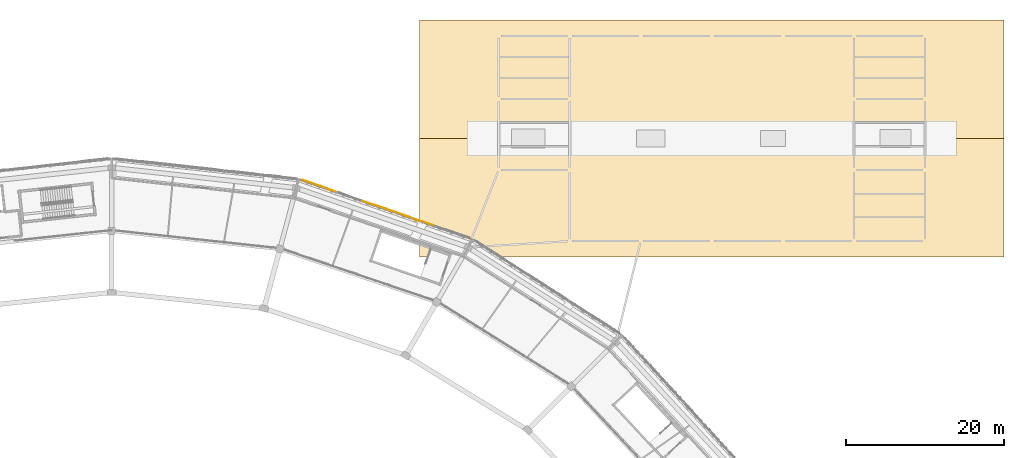
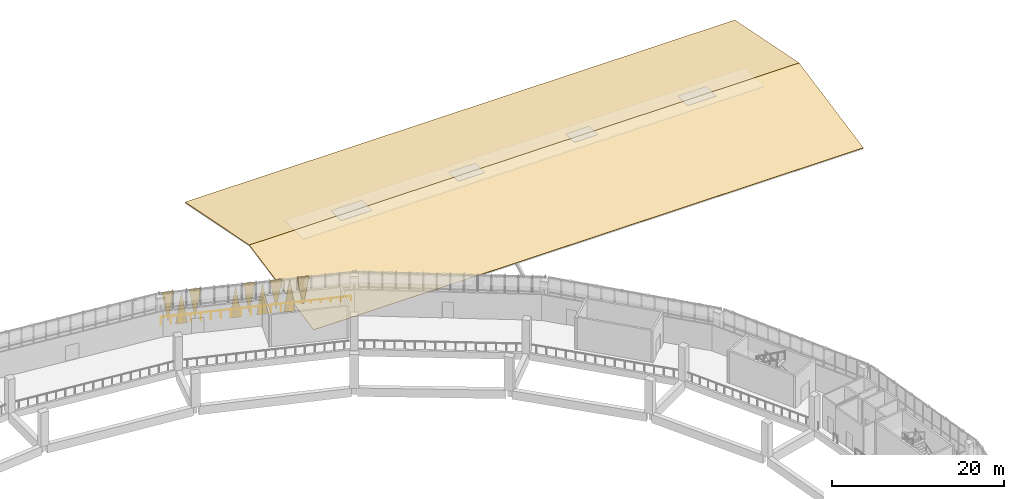
# One storey, part 105 of 108: 11 coverings, 1 railing.
"""IFC4 building model written with IfcOpenShell, lengths in metres."""

import ifcopenshell
import ifcopenshell.guid

model = None  # the IFC model being written
_history = None  # IfcOwnerHistory: only IFC2X3 demands one
_inside = {}  # id of a spatial element -> (the spatial element, [elements in it])
_under = {}  # id of a project, library or spatial element -> (it, [spatial elements below it])
_declared = {}  # id of a project -> (the project, [libraries it declares])
_typed = {}  # id of a type object -> (the type object, [elements of that type])
_made_of = {}  # id of a material, layer set ... -> (it, [elements and type objects made of it])


def new_model(schema):
    """Start an empty IFC model of exactly this schema.

    Asked for "IFC4X3", IfcOpenShell would pick the latest addendum, in which some entities
    have other attributes; the version numbers below select the first issue.
    IFC2X3 requires an IfcOwnerHistory on every rooted entity: one is made here for all.
    """
    global model, _history
    if schema == "IFC4X3":
        model = ifcopenshell.file(schema_version=(4, 3, 0, 0))
    else:
        model = ifcopenshell.file(schema=schema)
    _inside.clear()
    _under.clear()
    _declared.clear()
    _typed.clear()
    _made_of.clear()
    _history = None
    if model.schema == "IFC2X3":
        org = make("IfcOrganization", Name="unknown")
        user = make(
            "IfcPersonAndOrganization",
            ThePerson=make("IfcPerson", FamilyName="unknown"),
            TheOrganization=org,
        )
        app = make(
            "IfcApplication",
            ApplicationDeveloper=org,
            Version="unknown",
            ApplicationFullName="unknown",
            ApplicationIdentifier="unknown",
        )
        _history = make(
            "IfcOwnerHistory",
            OwningUser=user,
            OwningApplication=app,
            ChangeAction="ADDED",
            CreationDate=0,
        )
    return model


def make(cls, **values):
    """One entity of the class cls with the attributes given. An attribute that is None is left unset."""
    return model.create_entity(
        cls, **{name: value for name, value in values.items() if value is not None}
    )


def rooted(cls, **values):
    """An entity with a GlobalId (a new one), such as an element, a storey or a relation."""
    return make(cls, GlobalId=ifcopenshell.guid.new(), OwnerHistory=_history, **values)


def si_unit(unit_type, name, prefix=None):
    """IfcSIUnit, for example si_unit("LENGTHUNIT", "METRE", prefix="MILLI")."""
    return make("IfcSIUnit", UnitType=unit_type, Prefix=prefix, Name=name)


def assignment(units):
    """IfcUnitAssignment: the units of a project."""
    return None if units is None else make("IfcUnitAssignment", Units=units)


def point(xyz):
    """IfcCartesianPoint."""
    return None if xyz is None else make("IfcCartesianPoint", Coordinates=xyz)


def direction(xyz):
    """IfcDirection."""
    return None if xyz is None else make("IfcDirection", DirectionRatios=xyz)


def frame(location, z_axis=None, x_axis=None):
    """IfcAxis2Placement3D, a coordinate frame: its origin and axes. An axis left out is left unset."""
    return make(
        "IfcAxis2Placement3D",
        Location=point(location),
        Axis=direction(z_axis),
        RefDirection=direction(x_axis),
    )


def frame_2d(location, x_axis=None):
    """IfcAxis2Placement2D, a coordinate frame in the plane: its origin and x axis."""
    return make(
        "IfcAxis2Placement2D", Location=point(location), RefDirection=direction(x_axis)
    )


def origin():
    """The frame at (0, 0, 0) with its axes left unset."""
    return frame((0.0, 0.0, 0.0))


def origin_2d():
    """The frame at (0, 0) in the plane with its x axis left unset."""
    return frame_2d((0.0, 0.0))


def place(relative_to, where):
    """IfcLocalPlacement: puts the frame where relative to a parent placement (None: the world)."""
    return make(
        "IfcLocalPlacement", PlacementRelTo=relative_to, RelativePlacement=where
    )


def context(
    kind, dimensions, precision=None, world=None, true_north=None, identifier=None
):
    """IfcGeometricRepresentationContext, for example the 3D "Model" context."""
    return make(
        "IfcGeometricRepresentationContext",
        ContextIdentifier=identifier,
        ContextType=kind,
        CoordinateSpaceDimension=dimensions,
        Precision=precision,
        WorldCoordinateSystem=world,
        TrueNorth=true_north,
    )


def subcontext(parent, identifier, kind, view, scale=None):
    """IfcGeometricRepresentationSubContext, for example "Body" below "Model"."""
    return make(
        "IfcGeometricRepresentationSubContext",
        ContextIdentifier=identifier,
        ContextType=kind,
        ParentContext=parent,
        TargetScale=scale,
        TargetView=view,
    )


def project(units=None, contexts=None):
    """IfcProject with its units and contexts."""
    return rooted(
        "IfcProject",
        Name="project",
        RepresentationContexts=contexts,
        UnitsInContext=assignment(units),
    )


def spatial(cls, under=None, at=None, **own):
    """A site, building, storey or space (cls), placed at a placement, below another one or the project."""
    s = rooted(cls, ObjectPlacement=at, **own)
    if under is not None:
        _under.setdefault(under.id(), (under, []))[1].append(s)
    return s


def polyline(points):
    """IfcPolyline through the points."""
    return make("IfcPolyline", Points=[point(p) for p in points])


def profile(cls, at=None, kind="AREA", **sizes):
    """A parametric profile (cls). Its sizes go by their IFC names, for example OverallWidth=200.0."""
    return make(cls, ProfileType=kind, Position=at, **sizes)


def circle(**sizes):
    """IfcCircleProfileDef."""
    return profile("IfcCircleProfileDef", **sizes)


def outline(outer, holes=None, kind="AREA"):
    """IfcArbitraryClosedProfileDef: a profile drawn as a closed curve; with holes, ...WithVoids."""
    if holes is None:
        return make("IfcArbitraryClosedProfileDef", ProfileType=kind, OuterCurve=outer)
    return make(
        "IfcArbitraryProfileDefWithVoids",
        ProfileType=kind,
        OuterCurve=outer,
        InnerCurves=holes,
    )


def extrude(swept, where, along, depth):
    """IfcExtrudedAreaSolid: the profile swept, set in the frame where, extruded along a direction by depth."""
    return make(
        "IfcExtrudedAreaSolid",
        SweptArea=swept,
        Position=where,
        ExtrudedDirection=direction(along),
        Depth=depth,
    )


def shape(context_of_items, identifier, shape_type, items):
    """IfcShapeRepresentation: the items that make up one representation, for example the "Body"."""
    return make(
        "IfcShapeRepresentation",
        ContextOfItems=context_of_items,
        RepresentationIdentifier=identifier,
        RepresentationType=shape_type,
        Items=items,
    )


def material(Name=None, Category=None):
    """IfcMaterial."""
    return make("IfcMaterial", Name=Name, Category=Category)


def layer(
    of_material, thickness, ventilated=None, Name=None, Category=None, Priority=None
):
    """IfcMaterialLayer: one layer of a wall or slab, of a material (None: an air gap)."""
    return make(
        "IfcMaterialLayer",
        Material=of_material,
        LayerThickness=thickness,
        IsVentilated=ventilated,
        Name=Name,
        Category=Category,
        Priority=Priority,
    )


def layer_set(layers, Name=None):
    """IfcMaterialLayerSet."""
    return make("IfcMaterialLayerSet", MaterialLayers=layers, LayerSetName=Name)


def made_of(thing, what):
    """Note that an element or type object is made of a material, layer set ...; save() writes the relation."""
    if what is not None:
        _made_of.setdefault(what.id(), (what, []))[1].append(thing)
    return thing


def type_object(cls, material=None, **own):
    """A type object (cls), such as IfcWallType, which elements share."""
    return made_of(rooted(cls, **own), material)


def element(
    cls,
    number,
    at=None,
    inside=None,
    cuts=None,
    type_object=None,
    material=None,
    context=None,
    identifier="Body",
    shape_type=None,
    held_by="IfcProductDefinitionShape",
    body=None,
    shapes=None,
    **own,
):
    """One element of the class cls, such as IfcWall. Its Tag is "e" and its number.

    at: its placement. inside: the storey or other place that contains it. cuts: it is an
    opening in that element (IfcRelVoidsElement). A single representation is given by context,
    identifier, shape_type and body (its items); several are given by shapes. held_by: the class
    of the entity that holds the representations. save() writes the other relations.
    """
    e = rooted(cls, Tag="e%d" % number, ObjectPlacement=at, **own)
    if body is not None:
        shapes = [shape(context, identifier, shape_type, body)]
    if shapes is not None:
        e.Representation = make(held_by, Representations=shapes)
    if inside is not None:
        _inside.setdefault(inside.id(), (inside, []))[1].append(e)
    if cuts is not None:
        rooted(
            "IfcRelVoidsElement", RelatingBuildingElement=cuts, RelatedOpeningElement=e
        )
    if type_object is not None:
        _typed.setdefault(type_object.id(), (type_object, []))[1].append(e)
    return made_of(e, material)


def aggregate(whole, parts):
    """IfcRelAggregates: a whole, such as a stair, and the parts it consists of."""
    return rooted("IfcRelAggregates", RelatingObject=whole, RelatedObjects=parts)


def save(model, path):
    """Write the relations noted so far, then the file.

    IfcRelAggregates (storeys below a building ...), IfcRelContainedInSpatialStructure (elements
    in a storey), IfcRelDefinesByType, IfcRelAssociatesMaterial and IfcRelDeclares: one each for
    every whole, place, type object, material and project.
    """
    for whole, parts in _under.values():
        aggregate(whole, parts)
    for where, things in _inside.values():
        rooted(
            "IfcRelContainedInSpatialStructure",
            RelatedElements=things,
            RelatingStructure=where,
        )
    for kind, things in _typed.values():
        rooted("IfcRelDefinesByType", RelatedObjects=things, RelatingType=kind)
    for what, things in _made_of.values():
        rooted("IfcRelAssociatesMaterial", RelatedObjects=things, RelatingMaterial=what)
    for by, libraries in _declared.values():
        rooted("IfcRelDeclares", RelatingContext=by, RelatedDefinitions=libraries)
    model.write(path)


model = new_model("IFC4")

# Units and contexts
model_context = context("Model", 3, precision=1e-05, world=origin(), true_north=direction((0.0, 1.0)))
body_context = subcontext(model_context, "Body", "Model", "MODEL_VIEW")
ifc_project = project(units=[si_unit("LENGTHUNIT", "METRE"), si_unit("AREAUNIT", "SQUARE_METRE"), si_unit("VOLUMEUNIT", "CUBIC_METRE"), si_unit("PLANEANGLEUNIT", "RADIAN"), si_unit("MASSUNIT", "GRAM", prefix="KILO")], contexts=[model_context])

# Site, building, storey
site_placement = place(None, origin())
site = spatial("IfcSite", under=ifc_project, at=site_placement, CompositionType="ELEMENT")
building_placement = place(site_placement, origin())
building = spatial("IfcBuilding", under=site, at=building_placement, Name="Zevraka Park Crest Stadium", CompositionType="ELEMENT")
storey_placement = place(building_placement, frame((0.0, 0.0, 19.800048828125)))
storey = spatial("IfcBuildingStorey", under=building, at=storey_placement, Name="L04", CompositionType="ELEMENT", Elevation=19.800048828125)

# Coverings
ifc_material_1 = material(Name="Architectural golden-bronze perforated aluminium", Category="aluminium")
ifc_layer_1 = layer(ifc_material_1, 0.034912109375)
ifc_layer_set_1 = layer_set([ifc_layer_1], Name="Architectural golden-bronze perforated aluminium")
covering_type_1 = type_object("IfcCoveringType", Name="CLD01", PredefinedType="CLADDING", material=ifc_layer_set_1)
covering_1_placement = place(storey_placement, frame((151.337890625, 160.470947265625, 4.52001953125), z_axis=(-0.326756380896, -0.945108600925, 9.98142e-07), x_axis=(0.945108600926, -0.326756380896, 0.0)))
element("IfcCovering", 1, at=covering_1_placement, inside=storey, type_object=covering_type_1, Name="Triangular Golden-Bronze Perforated Cladding L04-04-4", PredefinedType="CLADDING", context=body_context, shape_type="SweptSolid", body=[
    extrude(outline(polyline([(0.0, 0.0), (1.4442681328241207, 5.293955920339377e-23), (0.7217480700517487, -4.300048828127142), (0.0, 0.0)])), origin(), (0.0, 0.0, -1.0), 0.034912109375),
])
covering_2_placement = place(storey_placement, frame((151.18701171875, 160.52392578125, -0.219970703125), z_axis=(0.327116373158, 0.944984062477, 8.718918e-06), x_axis=(-0.944984062513, 0.32711637317, 0.0)))
element("IfcCovering", 2, at=covering_2_placement, inside=storey, type_object=covering_type_1, Name="Triangular Golden-Bronze Perforated Cladding L04-04-5", PredefinedType="CLADDING", context=body_context, shape_type="SweptSolid", body=[
    extrude(outline(polyline([(0.0, 0.0), (1.4434250544366414, 8.470329472543003e-22), (0.7218278817181392, 4.579833984549079), (0.0, 0.0)])), origin(), (0.0, 0.0, -1.0), 0.034912109375),
])
covering_3_placement = place(storey_placement, frame((148.306884765625, 161.52099609375, 4.52001953125), z_axis=(-0.32696531961, -0.945036337642, 1.7545876e-05), x_axis=(0.945036337788, -0.326965319661, 0.0)))
element("IfcCovering", 3, at=covering_3_placement, inside=storey, type_object=covering_type_1, Name="Triangular Golden-Bronze Perforated Cladding L04-04-6", PredefinedType="CLADDING", context=body_context, shape_type="SweptSolid", body=[
    extrude(outline(polyline([(0.0, 0.0), (1.443345210479487, 0.0), (0.7218278788795688, -4.3000488287869025), (0.0, 0.0)])), origin(), (0.0, 0.0, -1.0), 0.034912109375),
])
covering_4_placement = place(storey_placement, frame((148.156005859375, 161.572998046875, -0.219970703125), z_axis=(-0.327569380281, -0.944827118034, 0.000134647502), x_axis=(-0.944827126599, 0.327569383251, 0.0)))
element("IfcCovering", 4, at=covering_4_placement, inside=storey, type_object=covering_type_1, Name="Triangular Golden-Bronze Perforated Cladding L04-04-7", PredefinedType="CLADDING", context=body_context, shape_type="SweptSolid", body=[
    extrude(outline(polyline([(0.0, 0.0), (1.4436648075350447, 0.0), (0.7219170009098143, -4.579834025891081), (0.0, 0.0)])), origin(), (0.0, 0.0, -1.0), 0.034912109375),
])
covering_5_placement = place(storey_placement, frame((145.27587890625, 162.571044921875, 4.52001953125), z_axis=(-0.327720334869, -0.944774773432, 9.7978163e-05), x_axis=(0.944774777967, -0.327720336442, 0.0)))
element("IfcCovering", 5, at=covering_5_placement, inside=storey, type_object=covering_type_1, Name="Triangular Golden-Bronze Perforated Cladding L04-04-8", PredefinedType="CLADDING", context=body_context, shape_type="SweptSolid", body=[
    extrude(outline(polyline([(0.0, 0.0), (1.4437447989564163, 0.0), (0.7221477481261248, -4.300048848764634), (0.0, 0.0)])), origin(), (0.0, 0.0, -1.0), 0.034912109375),
])
covering_6_placement = place(storey_placement, frame((145.125, 162.623046875, -0.219970703125), z_axis=(0.326965319616, 0.945036337659, 1.6473986e-05), x_axis=(-0.945036337788, 0.326965319661, 0.0)))
element("IfcCovering", 6, at=covering_6_placement, inside=storey, type_object=covering_type_1, Name="Triangular Golden-Bronze Perforated Cladding L04-04-9", PredefinedType="CLADDING", context=body_context, shape_type="SweptSolid", body=[
    extrude(outline(polyline([(0.0, 0.0), (1.4433452104794873, -8.470329472543003e-22), (0.7215173315999183, 4.5798339849964655), (0.0, 0.0)])), origin(), (0.0, 0.0, -1.0), 0.034912109375),
])
covering_7_placement = place(storey_placement, frame((139.214111328125, 164.669921875, 4.52001953125), z_axis=(0.327621727638, 0.944808967779, 0.000134106763), x_axis=(0.944808976275, -0.327621730584, 0.0)))
element("IfcCovering", 7, at=covering_7_placement, inside=storey, type_object=covering_type_1, Name="Triangular Golden-Bronze Perforated Cladding L04-04-12", PredefinedType="CLADDING", context=body_context, shape_type="SweptSolid", body=[
    extrude(outline(polyline([(0.0, 0.0), (1.4434341390652787, 0.0), (0.7215171050974682, 4.300048866792382), (0.0, 0.0)])), origin(), (0.0, 0.0, -1.0), 0.034912109375),
])
covering_8_placement = place(storey_placement, frame((139.06298828125, 164.721923828125, -0.219970703125), z_axis=(-0.327511027586, -0.944847345323, 0.00014438255), x_axis=(-0.944847355171, 0.327511031, 0.0)))
element("IfcCovering", 8, at=covering_8_placement, inside=storey, type_object=covering_type_1, Name="Triangular Golden-Bronze Perforated Cladding L04-04-13", PredefinedType="CLADDING", context=body_context, shape_type="SweptSolid", body=[
    extrude(outline(polyline([(0.0, 0.0), (1.4446674660249328, 0.0), (0.7219169614485192, -4.5798340321113455), (0.0, 0.0)])), origin(), (0.0, 0.0, -1.0), 0.034912109375),
])
covering_9_placement = place(storey_placement, frame((136.18310546875, 165.719970703125, 4.52001953125), z_axis=(-0.327569379882, -0.944827116883, 0.000143408419), x_axis=(0.944827126599, -0.327569383251, 0.0)))
element("IfcCovering", 9, at=covering_9_placement, inside=storey, type_object=covering_type_1, Name="Triangular Golden-Bronze Perforated Cladding L04-04-14", PredefinedType="CLADDING", context=body_context, shape_type="SweptSolid", body=[
    extrude(outline(polyline([(0.0, 0.0), (1.4436648075350447, 1.3552527156068805e-20), (0.7219170009098143, -4.300048872342348), (0.0, 0.0)])), origin(), (0.0, 0.0, -1.0), 0.034912109375),
])

# Railing
ifc_material_2 = material(Name="Galvanised and bronze-finished steel balustrade", Category="steel")
railing_type = type_object("IfcRailingType", Name="GR01", PredefinedType="GUARDRAIL", material=ifc_material_2)
railing_placement = place(storey_placement, frame((136.013916015625, 165.7041015625, 0.0)))
element("IfcRailing", 10, at=railing_placement, inside=storey, type_object=railing_type, Name="Deck Edge Protection Guardrail GR01 L04-8", PredefinedType="GUARDRAIL", context=body_context, shape_type="SweptSolid", body=[
    extrude(circle(Radius=0.02392578125, at=origin_2d()), frame((0.0, 0.0, 1.076171875), z_axis=(0.944941623246, -0.327238947341, 0.0), x_axis=(0.327238947341, 0.944941623246, 0.0)), (0.0, 0.0, 1.0), 22.59814453125),
    extrude(circle(Radius=0.02099609375, at=origin_2d()), origin(), (0.0, 0.0, 1.0), 1.052001953125),
    extrude(circle(Radius=0.02099609375, at=origin_2d()), frame((1.123779296875, -0.38916015625, 0.0)), (0.0, 0.0, 1.0), 1.052001953125),
    extrude(circle(Radius=0.02099609375, at=origin_2d()), frame((2.247802734375, -0.7783203125, 0.0)), (0.0, 0.0, 1.0), 1.052001953125),
    extrude(circle(Radius=0.02099609375, at=origin_2d()), frame((3.37158203125, -1.167724609375, 0.0)), (0.0, 0.0, 1.0), 1.052001953125),
    extrude(circle(Radius=0.02099609375, at=origin_2d()), frame((4.49560546875, -1.556884765625, 0.0)), (0.0, 0.0, 1.0), 1.052001953125),
    extrude(circle(Radius=0.02099609375, at=origin_2d()), frame((5.619384765625, -1.946044921875, 0.0)), (0.0, 0.0, 1.0), 1.052001953125),
    extrude(circle(Radius=0.02099609375, at=origin_2d()), frame((6.743408203125, -2.335205078125, 0.0)), (0.0, 0.0, 1.0), 1.052001953125),
    extrude(circle(Radius=0.02099609375, at=origin_2d()), frame((7.8671875, -2.724365234375, 0.0)), (0.0, 0.0, 1.0), 1.052001953125),
    extrude(circle(Radius=0.02099609375, at=origin_2d()), frame((8.9912109375, -3.11376953125, 0.0)), (0.0, 0.0, 1.0), 1.052001953125),
    extrude(circle(Radius=0.02099609375, at=origin_2d()), frame((10.114990234375, -3.5029296875, 0.0)), (0.0, 0.0, 1.0), 1.052001953125),
    extrude(circle(Radius=0.02099609375, at=origin_2d()), frame((11.239013671875, -3.89208984375, 0.0)), (0.0, 0.0, 1.0), 1.052001953125),
    extrude(circle(Radius=0.02099609375, at=origin_2d()), frame((12.36279296875, -4.28125, 0.0)), (0.0, 0.0, 1.0), 1.052001953125),
    extrude(circle(Radius=0.02099609375, at=origin_2d()), frame((13.48681640625, -4.670654296875, 0.0)), (0.0, 0.0, 1.0), 1.052001953125),
    extrude(circle(Radius=0.02099609375, at=origin_2d()), frame((14.610595703125, -5.059814453125, 0.0)), (0.0, 0.0, 1.0), 1.052001953125),
    extrude(circle(Radius=0.02099609375, at=origin_2d()), frame((15.734619140625, -5.448974609375, 0.0)), (0.0, 0.0, 1.0), 1.052001953125),
    extrude(circle(Radius=0.02099609375, at=origin_2d()), frame((16.8583984375, -5.838134765625, 0.0)), (0.0, 0.0, 1.0), 1.052001953125),
    extrude(circle(Radius=0.02099609375, at=origin_2d()), frame((17.982421875, -6.227294921875, 0.0)), (0.0, 0.0, 1.0), 1.052001953125),
    extrude(circle(Radius=0.02099609375, at=origin_2d()), frame((19.106201171875, -6.61669921875, 0.0)), (0.0, 0.0, 1.0), 1.052001953125),
    extrude(circle(Radius=0.02099609375, at=origin_2d()), frame((20.230224609375, -7.005859375, 0.0)), (0.0, 0.0, 1.0), 1.052001953125),
    extrude(circle(Radius=0.02099609375, at=origin_2d()), frame((21.35400390625, -7.39501953125, 0.0)), (0.0, 0.0, 1.0), 1.052001953125),
])

# Coverings
ifc_material_3 = material(Name="Insulated standing-seam acoustic aluminium roofing", Category="aluminium")
ifc_layer_2 = layer(ifc_material_3, 0.06005859375)
ifc_layer_set_2 = layer_set([ifc_layer_2], Name="Insulated standing-seam acoustic aluminium roofing")
covering_type_2 = type_object("IfcCoveringType", Name="RCV01", PredefinedType="ROOFING", material=ifc_layer_set_2)
for number, where, z_axis, x_axis, name in (
    (11, (151.0, 156.0, -0.1201171875), (0.0, -0.194857269141, 0.980831608719), (1.0, 0.0, 0.0), "Pavilion Wide-Eave Standing-Seam Roofing NGATE-ROOF-S"),
    (12, (225.0, 186.0, -0.1201171875), (0.0, 0.194857269141, 0.980831608719), (-1.0, 0.0, 0.0), "Pavilion Wide-Eave Standing-Seam Roofing NGATE-ROOF-N"),
):
    element("IfcCovering", number, at=place(storey_placement, frame(where, z_axis=z_axis, x_axis=x_axis)), inside=storey, type_object=covering_type_2, Name=name, PredefinedType="ROOFING", context=body_context, shape_type="SweptSolid", body=[
        extrude(outline(polyline([(0.0, 0.0), (74.0, 0.0), (74.0, 15.293144987023812), (0.0, 15.293144987023812), (0.0, 0.0)])), origin(), (0.0, 0.0, -1.0), 0.06005859375),
    ])

save(model, "model.ifc")
